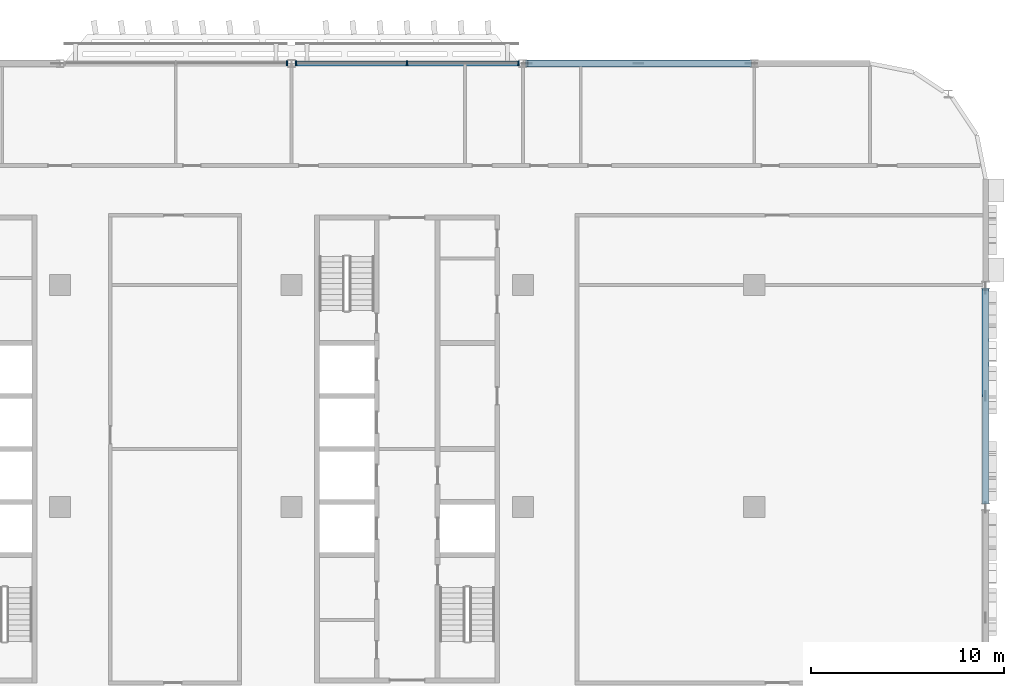
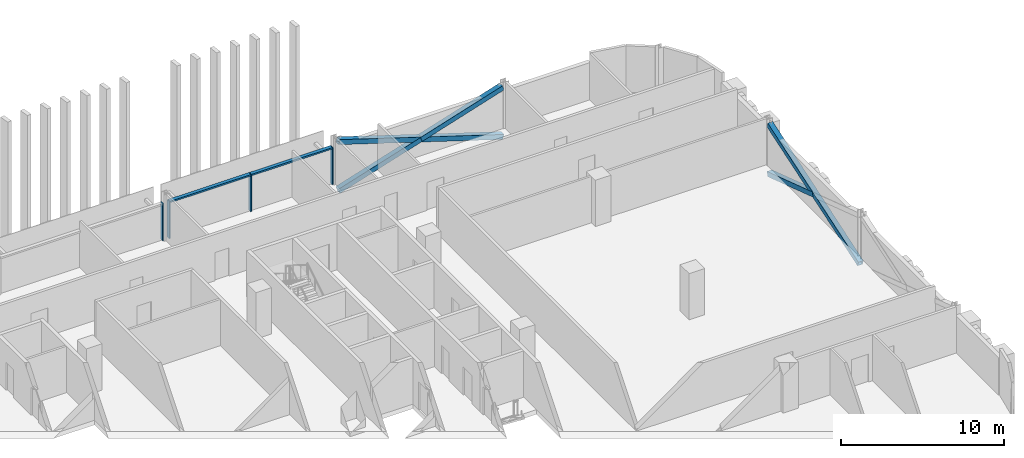
# One storey, part 7 of 28: 11 members, 2 elements without a shape of their own.
"""IFC4 building model written with IfcOpenShell, lengths in metres."""

from ifc_helpers import new_model, si_unit, direction, frame, origin, origin_2d, place, context, subcontext, project, spatial, rectangle, hollow_rectangle, extrude, material, material_profile, profile_set, type_object, element, aggregate, save


model = new_model("IFC4")

# Units and contexts
model_context = context("Model", 3, precision=1e-05, world=origin(), true_north=direction((0.0, 1.0)))
body_context = subcontext(model_context, "Body", "Model", "MODEL_VIEW")
ifc_project = project(units=[si_unit("LENGTHUNIT", "METRE"), si_unit("AREAUNIT", "SQUARE_METRE"), si_unit("VOLUMEUNIT", "CUBIC_METRE"), si_unit("PLANEANGLEUNIT", "RADIAN"), si_unit("MASSUNIT", "GRAM", prefix="KILO")], contexts=[model_context])

# Site, building, storey
site_placement = place(None, origin())
site = spatial("IfcSite", under=ifc_project, at=site_placement, CompositionType="ELEMENT")
building_placement = place(site_placement, origin())
building = spatial("IfcBuilding", under=site, at=building_placement, Name="Mahtab Terrace Research Tower", CompositionType="ELEMENT")
storey_placement = place(building_placement, frame((0.0, 0.0, 193.89990234375)))
storey = spatial("IfcBuildingStorey", under=building, at=storey_placement, Name="L46", CompositionType="ELEMENT", Elevation=193.89990234375)

# Members
ifc_material_1 = material(Name="Steel ASTM A500 Gr C", Category="steel")
ifc_material_profile_1 = material_profile(ifc_material_1, hollow_rectangle(XDim=0.355712890625, YDim=0.355712890625, WallThickness=0.015869140625, at=origin_2d()), Name="HSS14X14X5/8")
ifc_profile_set_1 = profile_set([ifc_material_profile_1], Name="Steel ASTM A500 Gr C")
member_type_1 = type_object("IfcMemberType", Name="HSS 14x14x5/8 brace XB141458", PredefinedType="BRACE", material=ifc_profile_set_1)
member_1_placement = place(storey_placement, frame((41.79931640625, 23.0, -0.615478515625), z_axis=(-0.953343380425, 0.0, 0.301888057067), x_axis=(0.0, -1.0, 0.0)))
element("IfcMember", 1, at=member_1_placement, inside=storey, type_object=member_type_1, Name="Exoskeleton brace L46 02 a", PredefinedType="BRACE", context=body_context, shape_type="SweptSolid", body=[
    extrude(hollow_rectangle(XDim=0.355712890625, YDim=0.355712890625, WallThickness=0.015869140625, at=origin_2d()), origin(), (0.0, 0.0, 1.0), 12.166259765625),
])
for number, where, z_axis, x_axis, name in (
    (2, (30.20068359375, 23.0, -0.615478515625), (0.953343380425, 0.0, 0.301888057067), (0.0, 1.0, 0.0), "Exoskeleton brace L46 02 b1"),
    (3, (36.0, 23.0, 1.220947265625), (0.953343380425, 0.0, 0.301888057067), (0.0, 1.0, 0.0), "Exoskeleton brace L46 02 b2"),
):
    element("IfcMember", number, at=place(storey_placement, frame(where, z_axis=z_axis, x_axis=x_axis)), inside=storey, type_object=member_type_1, Name=name, PredefinedType="BRACE", context=body_context, shape_type="SweptSolid", body=[
        extrude(hollow_rectangle(XDim=0.355712890625, YDim=0.355712890625, WallThickness=0.015869140625, at=origin_2d()), origin(), (0.0, 0.0, 1.0), 6.083251953125),
    ])
member_2_placement = place(storey_placement, frame((54.0, 0.199462890625, -0.613037109375), z_axis=(0.0, 0.949504910136, 0.313752172307), x_axis=(-1.0, 0.0, 0.0)))
element("IfcMember", 4, at=member_2_placement, inside=storey, type_object=member_type_1, Name="Exoskeleton brace L46 23 a", PredefinedType="BRACE", context=body_context, shape_type="SweptSolid", body=[
    extrude(hollow_rectangle(XDim=0.355712890625, YDim=0.355712890625, WallThickness=0.015869140625, at=origin_2d()), origin(), (0.0, 0.0, 1.0), 11.69140625),
])
member_3_placement = place(storey_placement, frame((54.0, 11.300537109375, -0.613037109375), z_axis=(0.0, -0.949511130933, 0.313733345748), x_axis=(1.0, 0.0, 0.0)))
element("IfcMember", 5, at=member_3_placement, inside=storey, type_object=member_type_1, Name="Exoskeleton brace L46 23 b1", PredefinedType="BRACE", context=body_context, shape_type="SweptSolid", body=[
    extrude(hollow_rectangle(XDim=0.355712890625, YDim=0.355712890625, WallThickness=0.015869140625, at=origin_2d()), origin(), (0.0, 0.0, 1.0), 5.845703125),
])

# Curtain wall, members
ifc_material_2 = material(Name="Sky lounge full-height curtain wall")
curtain_wall_type = type_object("IfcCurtainWallType", Name="Sky lounge full-height curtain wall", PredefinedType="NOTDEFINED", material=ifc_material_2)
curtain_wall_1_placement = place(storey_placement, origin())
curtain_wall_1 = element("IfcCurtainWall", 6, at=curtain_wall_1_placement, inside=storey, type_object=curtain_wall_type, Name="EN.L46.3.5", PredefinedType="NOTDEFINED")
ifc_material_3 = material(Name="Natural anodised aluminium", Category="aluminium")
ifc_material_profile_2 = material_profile(ifc_material_3, rectangle(XDim=0.25, YDim=0.070068359375, at=origin_2d()), Name="MULLION 70x250")
ifc_profile_set_2 = profile_set([ifc_material_profile_2], Name="Natural anodised aluminium")
member_type_2 = type_object("IfcMemberType", Name="Sky lounge full-height curtain wall mullion", PredefinedType="MULLION", material=ifc_profile_set_2)
member_4_placement = place(storey_placement, frame((29.764892578125, 23.0, 0.0), z_axis=(0.0, 0.0, 1.0), x_axis=(0.0, -1.0, 0.0)))
member_4 = element("IfcMember", 7, at=member_4_placement, type_object=member_type_2, Name="CWS-6 mullion 1", PredefinedType="MULLION", context=body_context, shape_type="SweptSolid", body=[
    extrude(rectangle(XDim=0.25, YDim=0.070068359375, at=origin_2d()), origin(), (0.0, 0.0, 1.0), 2.781982421875),
])
member_5_placement = place(storey_placement, frame((24.0, 23.0, 0.0), z_axis=(0.0, 0.0, 1.0), x_axis=(0.0, -1.0, 0.0)))
member_5 = element("IfcMember", 8, at=member_5_placement, type_object=member_type_2, Name="CWS-6 mullion 2", PredefinedType="MULLION", context=body_context, shape_type="SweptSolid", body=[
    extrude(rectangle(XDim=0.25, YDim=0.070068359375, at=origin_2d()), origin(), (0.0, 0.0, 1.0), 2.781982421875),
])
member_6_placement = place(storey_placement, frame((18.235107421875, 23.0, 0.0), z_axis=(0.0, 0.0, 1.0), x_axis=(0.0, -1.0, 0.0)))
member_6 = element("IfcMember", 9, at=member_6_placement, type_object=member_type_2, Name="CWS-6 mullion 3", PredefinedType="MULLION", context=body_context, shape_type="SweptSolid", body=[
    extrude(rectangle(XDim=0.25, YDim=0.070068359375, at=origin_2d()), origin(), (0.0, 0.0, 1.0), 2.781982421875),
])

# Curtain wall, member
curtain_wall_2_placement = place(storey_placement, origin())
curtain_wall_2 = element("IfcCurtainWall", 10, at=curtain_wall_2_placement, inside=storey, type_object=curtain_wall_type, Name="EN.L46.3.6", PredefinedType="NOTDEFINED")
member_7_placement = place(storey_placement, frame((17.764892578125, 23.0, 0.0), z_axis=(0.0, 0.0, 1.0), x_axis=(0.0, -1.0, 0.0)))
member_7 = element("IfcMember", 11, at=member_7_placement, type_object=member_type_2, Name="CWS-6 mullion 1", PredefinedType="MULLION", context=body_context, shape_type="SweptSolid", body=[
    extrude(rectangle(XDim=0.25, YDim=0.070068359375, at=origin_2d()), origin(), (0.0, 0.0, 1.0), 2.781982421875),
])
aggregate(curtain_wall_2, [member_7])

# Member
ifc_material_profile_3 = material_profile(ifc_material_3, rectangle(XDim=0.25, YDim=0.1201171875, at=origin_2d()), Name="TRANSOM 120x250")
ifc_profile_set_3 = profile_set([ifc_material_profile_3], Name="Natural anodised aluminium")
member_type_3 = type_object("IfcMemberType", Name="Sky lounge full-height curtain wall transom", PredefinedType="USERDEFINED", material=ifc_profile_set_3)
member_8_placement = place(storey_placement, frame((29.72998046875, 23.0, 2.721923828125), z_axis=(-1.0, 0.0, 0.0), x_axis=(0.0, -1.0, 0.0)))
member_8 = element("IfcMember", 12, at=member_8_placement, type_object=member_type_3, Name="CWS-6 transom 1", ObjectType="TRANSOM", PredefinedType="USERDEFINED", context=body_context, shape_type="SweptSolid", body=[
    extrude(rectangle(XDim=0.25, YDim=0.1201171875, at=origin_2d()), origin(), (0.0, 0.0, 1.0), 5.695068359375),
])

member_9_placement = place(storey_placement, frame((23.965087890625, 23.0, 2.721923828125), z_axis=(-1.0, 0.0, 0.0), x_axis=(0.0, -1.0, 0.0)))
member_9 = element("IfcMember", 13, at=member_9_placement, type_object=member_type_3, Name="CWS-6 transom 2", ObjectType="TRANSOM", PredefinedType="USERDEFINED", context=body_context, shape_type="SweptSolid", body=[
    extrude(rectangle(XDim=0.25, YDim=0.1201171875, at=origin_2d()), origin(), (0.0, 0.0, 1.0), 5.695068359375),
])

aggregate(curtain_wall_1, [member_4, member_5, member_6, member_8, member_9])

save(model, "model.ifc")
